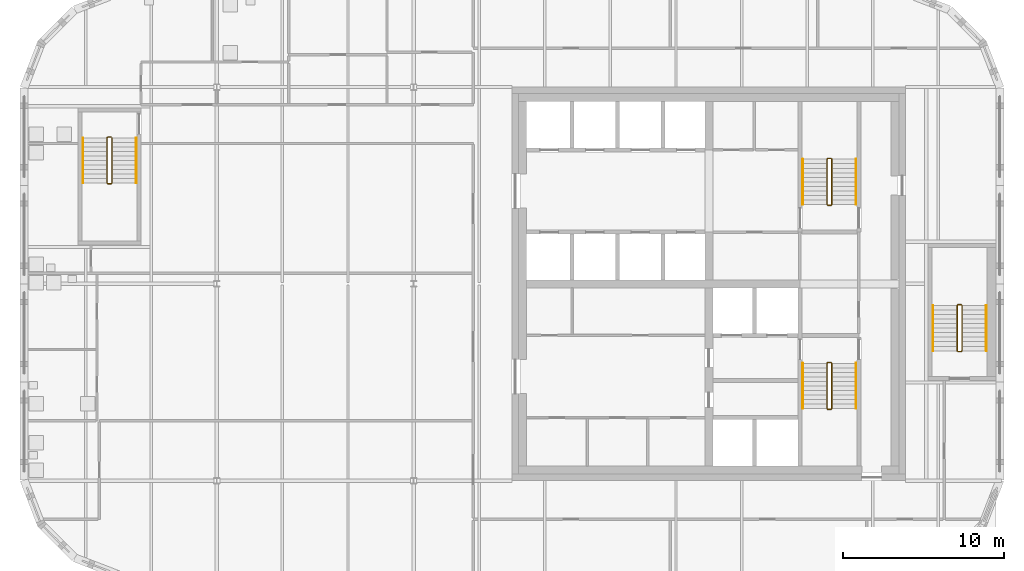
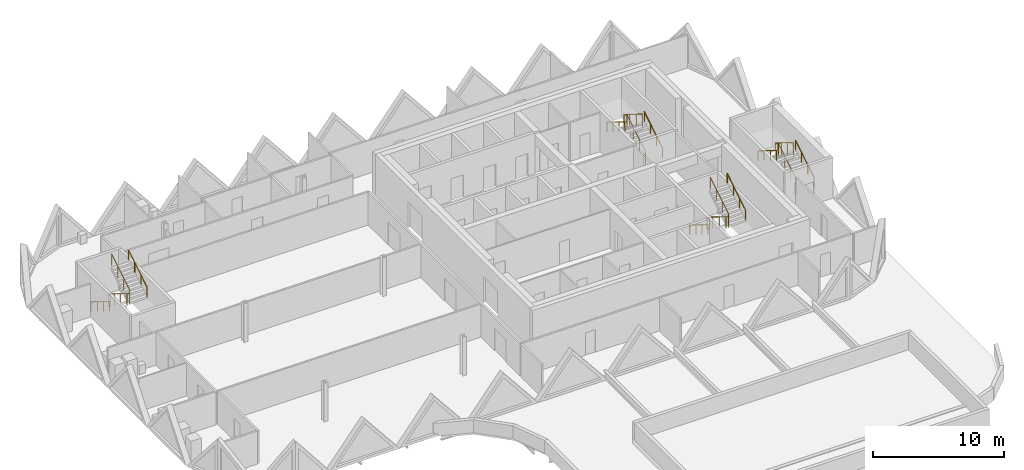
# One storey, part 11 of 12: 12 railings.
"""IFC4 building model written with IfcOpenShell, lengths in metres."""

from ifc_helpers import new_model, si_unit, direction, frame, origin, origin_2d, place, context, subcontext, project, spatial, circle, extrude, material, type_object, element, save


model = new_model("IFC4")

# Units and contexts
model_context = context("Model", 3, precision=1e-05, world=origin(), true_north=direction((0.0, 1.0)))
body_context = subcontext(model_context, "Body", "Model", "MODEL_VIEW")
ifc_project = project(units=[si_unit("LENGTHUNIT", "METRE"), si_unit("AREAUNIT", "SQUARE_METRE"), si_unit("VOLUMEUNIT", "CUBIC_METRE"), si_unit("PLANEANGLEUNIT", "RADIAN"), si_unit("MASSUNIT", "GRAM", prefix="KILO")], contexts=[model_context])

# Site, building, storey
site_placement = place(None, origin())
site = spatial("IfcSite", under=ifc_project, at=site_placement, CompositionType="ELEMENT")
building_placement = place(site_placement, origin())
building = spatial("IfcBuilding", under=site, at=building_placement, Name="Tessera Gate Towers", CompositionType="ELEMENT")
storey_placement = place(building_placement, frame((0.0, 0.0, 236.89990234375)))
storey = spatial("IfcBuildingStorey", under=building, at=storey_placement, Name="L59", CompositionType="ELEMENT", Elevation=236.89990234375)

# Railings
ifc_material_1 = material(Name="Steel 350W", Category="steel")
railing_type_1 = type_object("IfcRailingType", Name="STAIR GUARD 1100", PredefinedType="GUARDRAIL", material=ifc_material_1)
railing_1_placement = place(storey_placement, frame((50.27490234375, 31.72509765625, 0.0)))
element("IfcRailing", 1, at=railing_1_placement, inside=storey, type_object=railing_type_1, Name="L59 ST1 stair guard 1", PredefinedType="GUARDRAIL", context=body_context, shape_type="SweptSolid", body=[
    extrude(circle(Radius=0.02392578125, at=origin_2d()), frame((0.0, 0.0, 1.076171875), z_axis=(-1.0, 0.0, 0.0), x_axis=(0.0, -1.0, 0.0)), (0.0, 0.0, 1.0), 0.199951171875),
    extrude(circle(Radius=0.02392578125, at=origin_2d()), frame((-0.199951171875, 0.0, 1.076171875), z_axis=(-0.267953482034, -0.267953482034, 0.925419830635), x_axis=(0.707106781187, -0.707106781187, 0.0)), (0.0, 0.0, 1.0), 0.186767578125),
    extrude(circle(Radius=0.02392578125, at=origin_2d()), frame((-0.25, -0.050048828125, 1.2490234375), z_axis=(0.0, -0.851089632645, 0.525020415988), x_axis=(1.0, 0.0, 0.0)), (0.0, 0.0, 1.0), 3.2900390625),
    extrude(circle(Radius=0.02392578125, at=origin_2d()), frame((-0.25, -2.85009765625, 2.97607421875), z_axis=(0.707106781187, -0.707106781187, 0.0), x_axis=(0.707106781187, 0.707106781187, 0.0)), (0.0, 0.0, 1.0), 0.07080078125),
    extrude(circle(Radius=0.02392578125, at=origin_2d()), frame((-0.199951171875, -2.900146484375, 2.97607421875), z_axis=(1.0, 0.0, 0.0), x_axis=(0.0, 1.0, 0.0)), (0.0, 0.0, 1.0), 0.199951171875),
    extrude(circle(Radius=0.02392578125, at=origin_2d()), frame((0.0, -2.900146484375, 2.97607421875), z_axis=(0.268277960024, 0.268277960024, 0.925231793839), x_axis=(-0.707106781187, 0.707106781187, 0.0)), (0.0, 0.0, 1.0), 0.1865234375),
    extrude(circle(Radius=0.02392578125, at=origin_2d()), frame((0.050048828125, -2.85009765625, 3.14892578125), z_axis=(0.0, 0.851089632645, 0.525020415988), x_axis=(-1.0, 0.0, 0.0)), (0.0, 0.0, 1.0), 3.2900390625),
    extrude(circle(Radius=0.02099609375, at=origin_2d()), origin(), (0.0, 0.0, 1.0), 1.052001953125),
    extrude(circle(Radius=0.02099609375, at=origin_2d()), frame((-0.199951171875, 0.0, 0.0)), (0.0, 0.0, 1.0), 1.052001953125),
    extrude(circle(Radius=0.02099609375, at=origin_2d()), frame((-0.25, -0.050048828125, 0.1728515625)), (0.0, 0.0, 1.0), 1.052001953125),
    extrude(circle(Radius=0.02099609375, at=origin_2d()), frame((-0.25, -0.9833984375, 0.74853515625)), (0.0, 0.0, 1.0), 1.052001953125),
    extrude(circle(Radius=0.02099609375, at=origin_2d()), frame((-0.25, -1.916748046875, 1.324462890625)), (0.0, 0.0, 1.0), 1.052001953125),
    extrude(circle(Radius=0.02099609375, at=origin_2d()), frame((-0.25, -2.85009765625, 1.900146484375)), (0.0, 0.0, 1.0), 1.052001953125),
    extrude(circle(Radius=0.02099609375, at=origin_2d()), frame((-0.199951171875, -2.900146484375, 1.900146484375)), (0.0, 0.0, 1.0), 1.052001953125),
    extrude(circle(Radius=0.02099609375, at=origin_2d()), frame((0.0, -2.900146484375, 1.900146484375)), (0.0, 0.0, 1.0), 1.052001953125),
    extrude(circle(Radius=0.02099609375, at=origin_2d()), frame((0.050048828125, -2.85009765625, 2.07275390625)), (0.0, 0.0, 1.0), 1.052001953125),
    extrude(circle(Radius=0.02099609375, at=origin_2d()), frame((0.050048828125, -1.916748046875, 2.6484375)), (0.0, 0.0, 1.0), 1.052001953125),
    extrude(circle(Radius=0.02099609375, at=origin_2d()), frame((0.050048828125, -0.9833984375, 3.224365234375)), (0.0, 0.0, 1.0), 1.052001953125),
    extrude(circle(Radius=0.02099609375, at=origin_2d()), frame((0.050048828125, -0.050048828125, 3.800048828125)), (0.0, 0.0, 1.0), 1.052001953125),
])
railing_2_placement = place(storey_placement, frame((50.074951171875, 41.47509765625, 0.0)))
element("IfcRailing", 2, at=railing_2_placement, inside=storey, type_object=railing_type_1, Name="L59 ST2 stair guard 1", PredefinedType="GUARDRAIL", context=body_context, shape_type="SweptSolid", body=[
    extrude(circle(Radius=0.02392578125, at=origin_2d()), frame((0.0, 0.0, 1.076171875), z_axis=(1.0, 0.0, 0.0), x_axis=(0.0, 1.0, 0.0)), (0.0, 0.0, 1.0), 0.199951171875),
    extrude(circle(Radius=0.02392578125, at=origin_2d()), frame((0.199951171875, 0.0, 1.076171875), z_axis=(0.268047150085, 0.266739603011, 0.925743328097), x_axis=(-0.705375805398, 0.708833529934, 0.0)), (0.0, 0.0, 1.0), 0.186767578125),
    extrude(circle(Radius=0.02392578125, at=origin_2d()), frame((0.25, 0.0498046875, 1.2490234375), z_axis=(0.0, 0.851089632645, 0.525020415988), x_axis=(-1.0, 0.0, 0.0)), (0.0, 0.0, 1.0), 3.2900390625),
    extrude(circle(Radius=0.02392578125, at=origin_2d()), frame((0.25, 2.849853515625, 2.97607421875), z_axis=(-0.707106781187, 0.707106781187, 0.0), x_axis=(-0.707106781187, -0.707106781187, 0.0)), (0.0, 0.0, 1.0), 0.07080078125),
    extrude(circle(Radius=0.02392578125, at=origin_2d()), frame((0.199951171875, 2.89990234375, 2.97607421875), z_axis=(-1.0, 0.0, 0.0), x_axis=(0.0, -1.0, 0.0)), (0.0, 0.0, 1.0), 0.199951171875),
    extrude(circle(Radius=0.02392578125, at=origin_2d()), frame((0.0, 2.89990234375, 2.97607421875), z_axis=(-0.268277960024, -0.268277960024, 0.925231793839), x_axis=(0.707106781187, -0.707106781187, 0.0)), (0.0, 0.0, 1.0), 0.1865234375),
    extrude(circle(Radius=0.02392578125, at=origin_2d()), frame((-0.050048828125, 2.849853515625, 3.14892578125), z_axis=(0.0, -0.851089632645, 0.525020415988), x_axis=(1.0, 0.0, 0.0)), (0.0, 0.0, 1.0), 3.2900390625),
    extrude(circle(Radius=0.02099609375, at=origin_2d()), origin(), (0.0, 0.0, 1.0), 1.052001953125),
    extrude(circle(Radius=0.02099609375, at=origin_2d()), frame((0.199951171875, 0.0, 0.0)), (0.0, 0.0, 1.0), 1.052001953125),
    extrude(circle(Radius=0.02099609375, at=origin_2d()), frame((0.25, 0.0498046875, 0.1728515625)), (0.0, 0.0, 1.0), 1.052001953125),
    extrude(circle(Radius=0.02099609375, at=origin_2d()), frame((0.25, 0.983154296875, 0.74853515625)), (0.0, 0.0, 1.0), 1.052001953125),
    extrude(circle(Radius=0.02099609375, at=origin_2d()), frame((0.25, 1.91650390625, 1.324462890625)), (0.0, 0.0, 1.0), 1.052001953125),
    extrude(circle(Radius=0.02099609375, at=origin_2d()), frame((0.25, 2.849853515625, 1.900146484375)), (0.0, 0.0, 1.0), 1.052001953125),
    extrude(circle(Radius=0.02099609375, at=origin_2d()), frame((0.199951171875, 2.89990234375, 1.900146484375)), (0.0, 0.0, 1.0), 1.052001953125),
    extrude(circle(Radius=0.02099609375, at=origin_2d()), frame((0.0, 2.89990234375, 1.900146484375)), (0.0, 0.0, 1.0), 1.052001953125),
    extrude(circle(Radius=0.02099609375, at=origin_2d()), frame((-0.050048828125, 2.849853515625, 2.07275390625)), (0.0, 0.0, 1.0), 1.052001953125),
    extrude(circle(Radius=0.02099609375, at=origin_2d()), frame((-0.050048828125, 1.91650390625, 2.6484375)), (0.0, 0.0, 1.0), 1.052001953125),
    extrude(circle(Radius=0.02099609375, at=origin_2d()), frame((-0.050048828125, 0.983154296875, 3.224365234375)), (0.0, 0.0, 1.0), 1.052001953125),
    extrude(circle(Radius=0.02099609375, at=origin_2d()), frame((-0.050048828125, 0.0498046875, 3.800048828125)), (0.0, 0.0, 1.0), 1.052001953125),
])
railing_3_placement = place(storey_placement, frame((5.64990234375, 45.699951171875, 0.0)))
element("IfcRailing", 3, at=railing_3_placement, inside=storey, type_object=railing_type_1, Name="L59 ST3 stair guard 1", PredefinedType="GUARDRAIL", context=body_context, shape_type="SweptSolid", body=[
    extrude(circle(Radius=0.02392578125, at=origin_2d()), frame((0.0, 0.0, 1.076171875), z_axis=(-1.0, 0.0, 0.0), x_axis=(0.0, -1.0, 0.0)), (0.0, 0.0, 1.0), 0.199951171875),
    extrude(circle(Radius=0.02392578125, at=origin_2d()), frame((-0.199951171875, 0.0, 1.076171875), z_axis=(-0.267953482034, -0.267953482034, 0.925419830635), x_axis=(0.707106781187, -0.707106781187, 0.0)), (0.0, 0.0, 1.0), 0.186767578125),
    extrude(circle(Radius=0.02392578125, at=origin_2d()), frame((-0.25, -0.050048828125, 1.2490234375), z_axis=(0.0, -0.851069175582, 0.525053576669), x_axis=(1.0, 0.0, 0.0)), (0.0, 0.0, 1.0), 3.289794921875),
    extrude(circle(Radius=0.02392578125, at=origin_2d()), frame((-0.25, -2.849853515625, 2.97607421875), z_axis=(0.707106781187, -0.707106781187, 0.0), x_axis=(0.707106781187, 0.707106781187, 0.0)), (0.0, 0.0, 1.0), 0.07080078125),
    extrude(circle(Radius=0.02392578125, at=origin_2d()), frame((-0.199951171875, -2.89990234375, 2.97607421875), z_axis=(1.0, 0.0, 0.0), x_axis=(0.0, 1.0, 0.0)), (0.0, 0.0, 1.0), 0.199951171875),
    extrude(circle(Radius=0.02392578125, at=origin_2d()), frame((0.0, -2.89990234375, 2.97607421875), z_axis=(0.268277960024, 0.268277960024, 0.925231793839), x_axis=(-0.707106781187, 0.707106781187, 0.0)), (0.0, 0.0, 1.0), 0.1865234375),
    extrude(circle(Radius=0.02392578125, at=origin_2d()), frame((0.050048828125, -2.849853515625, 3.14892578125), z_axis=(0.0, 0.851069175582, 0.525053576669), x_axis=(-1.0, 0.0, 0.0)), (0.0, 0.0, 1.0), 3.289794921875),
    extrude(circle(Radius=0.02099609375, at=origin_2d()), origin(), (0.0, 0.0, 1.0), 1.052001953125),
    extrude(circle(Radius=0.02099609375, at=origin_2d()), frame((-0.199951171875, 0.0, 0.0)), (0.0, 0.0, 1.0), 1.052001953125),
    extrude(circle(Radius=0.02099609375, at=origin_2d()), frame((-0.25, -0.050048828125, 0.1728515625)), (0.0, 0.0, 1.0), 1.052001953125),
    extrude(circle(Radius=0.02099609375, at=origin_2d()), frame((-0.25, -0.9833984375, 0.74853515625)), (0.0, 0.0, 1.0), 1.052001953125),
    extrude(circle(Radius=0.02099609375, at=origin_2d()), frame((-0.25, -1.91650390625, 1.324462890625)), (0.0, 0.0, 1.0), 1.052001953125),
    extrude(circle(Radius=0.02099609375, at=origin_2d()), frame((-0.25, -2.849853515625, 1.900146484375)), (0.0, 0.0, 1.0), 1.052001953125),
    extrude(circle(Radius=0.02099609375, at=origin_2d()), frame((-0.199951171875, -2.89990234375, 1.900146484375)), (0.0, 0.0, 1.0), 1.052001953125),
    extrude(circle(Radius=0.02099609375, at=origin_2d()), frame((0.0, -2.89990234375, 1.900146484375)), (0.0, 0.0, 1.0), 1.052001953125),
    extrude(circle(Radius=0.02099609375, at=origin_2d()), frame((0.050048828125, -2.849853515625, 2.07275390625)), (0.0, 0.0, 1.0), 1.052001953125),
    extrude(circle(Radius=0.02099609375, at=origin_2d()), frame((0.050048828125, -1.91650390625, 2.6484375)), (0.0, 0.0, 1.0), 1.052001953125),
    extrude(circle(Radius=0.02099609375, at=origin_2d()), frame((0.050048828125, -0.9833984375, 3.224365234375)), (0.0, 0.0, 1.0), 1.052001953125),
    extrude(circle(Radius=0.02099609375, at=origin_2d()), frame((0.050048828125, -0.050048828125, 3.800048828125)), (0.0, 0.0, 1.0), 1.052001953125),
])
railing_4_placement = place(storey_placement, frame((58.14990234375, 32.39990234375, 0.0)))
element("IfcRailing", 4, at=railing_4_placement, inside=storey, type_object=railing_type_1, Name="L59 ST5 stair guard 1", PredefinedType="GUARDRAIL", context=body_context, shape_type="SweptSolid", body=[
    extrude(circle(Radius=0.02392578125, at=origin_2d()), frame((0.0, 0.0, 1.076171875), z_axis=(1.0, 0.0, 0.0), x_axis=(0.0, 1.0, 0.0)), (0.0, 0.0, 1.0), 0.2001953125),
    extrude(circle(Radius=0.02392578125, at=origin_2d()), frame((0.2001953125, 0.0, 1.076171875), z_axis=(0.266739603011, 0.268047150085, 0.925743328097), x_axis=(-0.708833529934, 0.705375805398, 0.0)), (0.0, 0.0, 1.0), 0.186767578125),
    extrude(circle(Radius=0.02392578125, at=origin_2d()), frame((0.25, 0.050048828125, 1.2490234375), z_axis=(0.0, 0.851089632645, 0.525020415988), x_axis=(-1.0, 0.0, 0.0)), (0.0, 0.0, 1.0), 3.2900390625),
    extrude(circle(Radius=0.02392578125, at=origin_2d()), frame((0.25, 2.85009765625, 2.97607421875), z_axis=(-0.705375805398, 0.708833529934, 0.0), x_axis=(-0.708833529934, -0.705375805398, 0.0)), (0.0, 0.0, 1.0), 0.070556640625),
    extrude(circle(Radius=0.02392578125, at=origin_2d()), frame((0.2001953125, 2.900146484375, 2.97607421875), z_axis=(-1.0, 0.0, 0.0), x_axis=(0.0, -1.0, 0.0)), (0.0, 0.0, 1.0), 0.2001953125),
    extrude(circle(Radius=0.02392578125, at=origin_2d()), frame((0.0, 2.900146484375, 2.97607421875), z_axis=(-0.267062837333, -0.268371968888, 0.925556009775), x_axis=(0.708833529934, -0.705375805398, 0.0)), (0.0, 0.0, 1.0), 0.1865234375),
    extrude(circle(Radius=0.02392578125, at=origin_2d()), frame((-0.0498046875, 2.85009765625, 3.14892578125), z_axis=(0.0, -0.851089632645, 0.525020415988), x_axis=(1.0, 0.0, 0.0)), (0.0, 0.0, 1.0), 3.2900390625),
    extrude(circle(Radius=0.02099609375, at=origin_2d()), origin(), (0.0, 0.0, 1.0), 1.052001953125),
    extrude(circle(Radius=0.02099609375, at=origin_2d()), frame((0.2001953125, 0.0, 0.0)), (0.0, 0.0, 1.0), 1.052001953125),
    extrude(circle(Radius=0.02099609375, at=origin_2d()), frame((0.25, 0.050048828125, 0.1728515625)), (0.0, 0.0, 1.0), 1.052001953125),
    extrude(circle(Radius=0.02099609375, at=origin_2d()), frame((0.25, 0.9833984375, 0.74853515625)), (0.0, 0.0, 1.0), 1.052001953125),
    extrude(circle(Radius=0.02099609375, at=origin_2d()), frame((0.25, 1.916748046875, 1.324462890625)), (0.0, 0.0, 1.0), 1.052001953125),
    extrude(circle(Radius=0.02099609375, at=origin_2d()), frame((0.25, 2.85009765625, 1.900146484375)), (0.0, 0.0, 1.0), 1.052001953125),
    extrude(circle(Radius=0.02099609375, at=origin_2d()), frame((0.2001953125, 2.900146484375, 1.900146484375)), (0.0, 0.0, 1.0), 1.052001953125),
    extrude(circle(Radius=0.02099609375, at=origin_2d()), frame((0.0, 2.900146484375, 1.900146484375)), (0.0, 0.0, 1.0), 1.052001953125),
    extrude(circle(Radius=0.02099609375, at=origin_2d()), frame((-0.0498046875, 2.85009765625, 2.07275390625)), (0.0, 0.0, 1.0), 1.052001953125),
    extrude(circle(Radius=0.02099609375, at=origin_2d()), frame((-0.0498046875, 1.916748046875, 2.6484375)), (0.0, 0.0, 1.0), 1.052001953125),
    extrude(circle(Radius=0.02099609375, at=origin_2d()), frame((-0.0498046875, 0.9833984375, 3.224365234375)), (0.0, 0.0, 1.0), 1.052001953125),
    extrude(circle(Radius=0.02099609375, at=origin_2d()), frame((-0.0498046875, 0.050048828125, 3.800048828125)), (0.0, 0.0, 1.0), 1.052001953125),
])
ifc_material_2 = material(Name="Steel 350W", Category="steel")
railing_type_2 = type_object("IfcRailingType", Name="STAIR HANDRAIL 900", PredefinedType="HANDRAIL", material=ifc_material_2)
railing_5_placement = place(storey_placement, frame((48.52490234375, 31.675048828125, 0.1728515625)))
element("IfcRailing", 5, at=railing_5_placement, inside=storey, type_object=railing_type_2, Name="L59 ST1 stair handrail 1", PredefinedType="HANDRAIL", context=body_context, shape_type="SweptSolid", body=[
    extrude(circle(Radius=0.02392578125, at=origin_2d()), frame((0.0, 0.0, 0.8759765625), z_axis=(0.0, -0.851089632645, 0.525020415988), x_axis=(1.0, 0.0, 0.0)), (0.0, 0.0, 1.0), 3.2900390625),
    extrude(circle(Radius=0.02099609375, at=origin_2d()), origin(), (0.0, 0.0, 1.0), 0.851806640625),
    extrude(circle(Radius=0.02099609375, at=origin_2d()), frame((0.0, -0.933349609375, 0.57568359375)), (0.0, 0.0, 1.0), 0.851806640625),
    extrude(circle(Radius=0.02099609375, at=origin_2d()), frame((0.0, -1.86669921875, 1.151611328125)), (0.0, 0.0, 1.0), 0.851806640625),
    extrude(circle(Radius=0.02099609375, at=origin_2d()), frame((0.0, -2.800048828125, 1.727294921875)), (0.0, 0.0, 1.0), 0.851806640625),
])
for number, where, name in (
    (6, (51.824951171875, 28.875, 2.07275390625), "L59 ST1 stair handrail 2"),
    (7, (51.824951171875, 41.52490234375, 0.1728515625), "L59 ST2 stair handrail 1"),
):
    element("IfcRailing", number, at=place(storey_placement, frame(where)), inside=storey, type_object=railing_type_2, Name=name, PredefinedType="HANDRAIL", context=body_context, shape_type="SweptSolid", body=[
        extrude(circle(Radius=0.02392578125, at=origin_2d()), frame((0.0, 0.0, 0.8759765625), z_axis=(0.0, 0.851089632645, 0.525020415988), x_axis=(-1.0, 0.0, 0.0)), (0.0, 0.0, 1.0), 3.2900390625),
        extrude(circle(Radius=0.02099609375, at=origin_2d()), origin(), (0.0, 0.0, 1.0), 0.851806640625),
        extrude(circle(Radius=0.02099609375, at=origin_2d()), frame((0.0, 0.933349609375, 0.57568359375)), (0.0, 0.0, 1.0), 0.851806640625),
        extrude(circle(Radius=0.02099609375, at=origin_2d()), frame((0.0, 1.86669921875, 1.151611328125)), (0.0, 0.0, 1.0), 0.851806640625),
        extrude(circle(Radius=0.02099609375, at=origin_2d()), frame((0.0, 2.800048828125, 1.727294921875)), (0.0, 0.0, 1.0), 0.851806640625),
    ])
railing_6_placement = place(storey_placement, frame((48.52490234375, 44.324951171875, 2.07275390625)))
element("IfcRailing", 8, at=railing_6_placement, inside=storey, type_object=railing_type_2, Name="L59 ST2 stair handrail 2", PredefinedType="HANDRAIL", context=body_context, shape_type="SweptSolid", body=[
    extrude(circle(Radius=0.02392578125, at=origin_2d()), frame((0.0, 0.0, 0.8759765625), z_axis=(0.0, -0.851089632645, 0.525020415988), x_axis=(1.0, 0.0, 0.0)), (0.0, 0.0, 1.0), 3.2900390625),
    extrude(circle(Radius=0.02099609375, at=origin_2d()), origin(), (0.0, 0.0, 1.0), 0.851806640625),
    extrude(circle(Radius=0.02099609375, at=origin_2d()), frame((0.0, -0.933349609375, 0.57568359375)), (0.0, 0.0, 1.0), 0.851806640625),
    extrude(circle(Radius=0.02099609375, at=origin_2d()), frame((0.0, -1.86669921875, 1.151611328125)), (0.0, 0.0, 1.0), 0.851806640625),
    extrude(circle(Radius=0.02099609375, at=origin_2d()), frame((0.0, -2.800048828125, 1.727294921875)), (0.0, 0.0, 1.0), 0.851806640625),
])
railing_7_placement = place(storey_placement, frame((3.89990234375, 45.64990234375, 0.1728515625)))
element("IfcRailing", 9, at=railing_7_placement, inside=storey, type_object=railing_type_2, Name="L59 ST3 stair handrail 1", PredefinedType="HANDRAIL", context=body_context, shape_type="SweptSolid", body=[
    extrude(circle(Radius=0.02392578125, at=origin_2d()), frame((0.0, 0.0, 0.8759765625), z_axis=(0.0, -0.851069175582, 0.525053576669), x_axis=(1.0, 0.0, 0.0)), (0.0, 0.0, 1.0), 3.289794921875),
    extrude(circle(Radius=0.02099609375, at=origin_2d()), origin(), (0.0, 0.0, 1.0), 0.851806640625),
    extrude(circle(Radius=0.02099609375, at=origin_2d()), frame((0.0, -0.933349609375, 0.57568359375)), (0.0, 0.0, 1.0), 0.851806640625),
    extrude(circle(Radius=0.02099609375, at=origin_2d()), frame((0.0, -1.866455078125, 1.151611328125)), (0.0, 0.0, 1.0), 0.851806640625),
    extrude(circle(Radius=0.02099609375, at=origin_2d()), frame((0.0, -2.7998046875, 1.727294921875)), (0.0, 0.0, 1.0), 0.851806640625),
])
railing_8_placement = place(storey_placement, frame((7.199951171875, 42.85009765625, 2.07275390625)))
element("IfcRailing", 10, at=railing_8_placement, inside=storey, type_object=railing_type_2, Name="L59 ST3 stair handrail 2", PredefinedType="HANDRAIL", context=body_context, shape_type="SweptSolid", body=[
    extrude(circle(Radius=0.02392578125, at=origin_2d()), frame((0.0, 0.0, 0.8759765625), z_axis=(0.0, 0.851069175582, 0.525053576669), x_axis=(-1.0, 0.0, 0.0)), (0.0, 0.0, 1.0), 3.289794921875),
    extrude(circle(Radius=0.02099609375, at=origin_2d()), origin(), (0.0, 0.0, 1.0), 0.851806640625),
    extrude(circle(Radius=0.02099609375, at=origin_2d()), frame((0.0, 0.933349609375, 0.57568359375)), (0.0, 0.0, 1.0), 0.851806640625),
    extrude(circle(Radius=0.02099609375, at=origin_2d()), frame((0.0, 1.866455078125, 1.151611328125)), (0.0, 0.0, 1.0), 0.851806640625),
    extrude(circle(Radius=0.02099609375, at=origin_2d()), frame((0.0, 2.7998046875, 1.727294921875)), (0.0, 0.0, 1.0), 0.851806640625),
])
railing_9_placement = place(storey_placement, frame((59.89990234375, 32.449951171875, 0.1728515625)))
element("IfcRailing", 11, at=railing_9_placement, inside=storey, type_object=railing_type_2, Name="L59 ST5 stair handrail 1", PredefinedType="HANDRAIL", context=body_context, shape_type="SweptSolid", body=[
    extrude(circle(Radius=0.02392578125, at=origin_2d()), frame((0.0, 0.0, 0.8759765625), z_axis=(0.0, 0.851089632645, 0.525020415988), x_axis=(-1.0, 0.0, 0.0)), (0.0, 0.0, 1.0), 3.2900390625),
    extrude(circle(Radius=0.02099609375, at=origin_2d()), origin(), (0.0, 0.0, 1.0), 0.851806640625),
    extrude(circle(Radius=0.02099609375, at=origin_2d()), frame((0.0, 0.933349609375, 0.57568359375)), (0.0, 0.0, 1.0), 0.851806640625),
    extrude(circle(Radius=0.02099609375, at=origin_2d()), frame((0.0, 1.86669921875, 1.151611328125)), (0.0, 0.0, 1.0), 0.851806640625),
    extrude(circle(Radius=0.02099609375, at=origin_2d()), frame((0.0, 2.800048828125, 1.727294921875)), (0.0, 0.0, 1.0), 0.851806640625),
])
railing_10_placement = place(storey_placement, frame((56.60009765625, 35.25, 2.07275390625)))
element("IfcRailing", 12, at=railing_10_placement, inside=storey, type_object=railing_type_2, Name="L59 ST5 stair handrail 2", PredefinedType="HANDRAIL", context=body_context, shape_type="SweptSolid", body=[
    extrude(circle(Radius=0.02392578125, at=origin_2d()), frame((0.0, 0.0, 0.8759765625), z_axis=(0.0, -0.851089632645, 0.525020415988), x_axis=(1.0, 0.0, 0.0)), (0.0, 0.0, 1.0), 3.2900390625),
    extrude(circle(Radius=0.02099609375, at=origin_2d()), origin(), (0.0, 0.0, 1.0), 0.851806640625),
    extrude(circle(Radius=0.02099609375, at=origin_2d()), frame((0.0, -0.933349609375, 0.57568359375)), (0.0, 0.0, 1.0), 0.851806640625),
    extrude(circle(Radius=0.02099609375, at=origin_2d()), frame((0.0, -1.86669921875, 1.151611328125)), (0.0, 0.0, 1.0), 0.851806640625),
    extrude(circle(Radius=0.02099609375, at=origin_2d()), frame((0.0, -2.800048828125, 1.727294921875)), (0.0, 0.0, 1.0), 0.851806640625),
])

save(model, "model.ifc")
